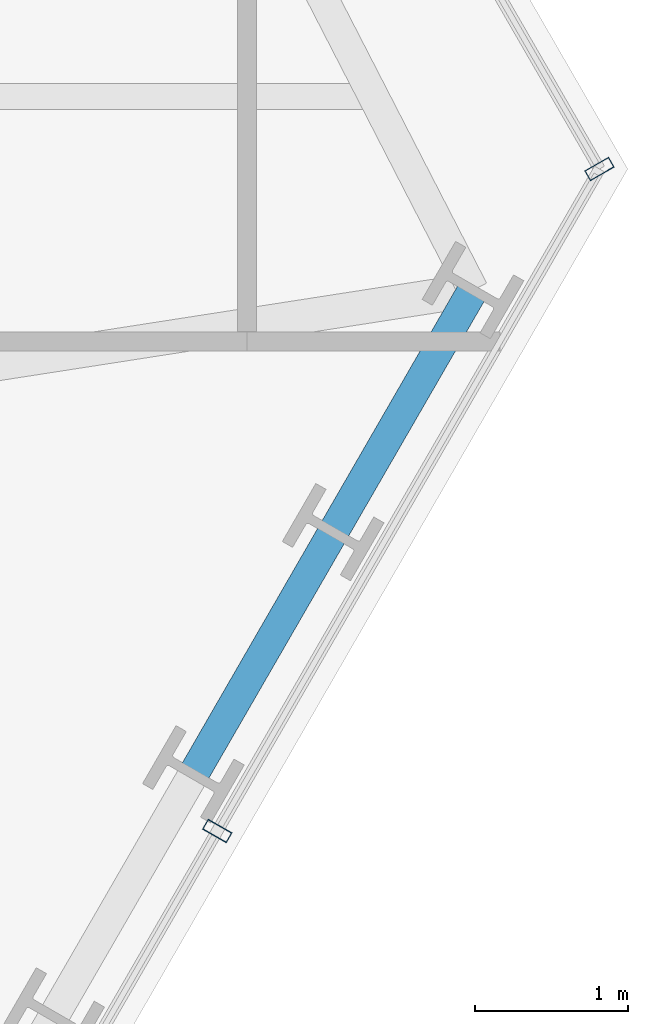
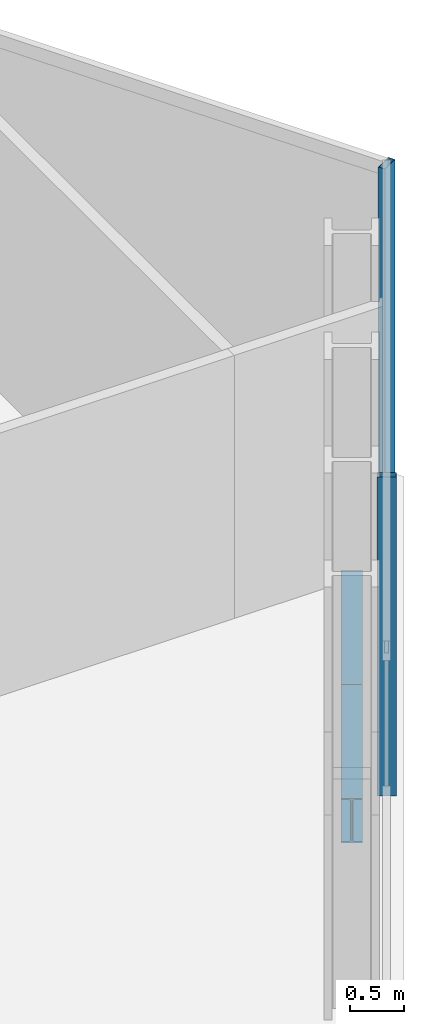
# One storey, part 18 of 32: 2 beams, 2 members, 2 elements without a shape of their own.
"""IFC4 building model written with IfcOpenShell, lengths in metres."""

import ifcopenshell
import ifcopenshell.guid

model = None  # the IFC model being written
_history = None  # IfcOwnerHistory: only IFC2X3 demands one
_inside = {}  # id of a spatial element -> (the spatial element, [elements in it])
_under = {}  # id of a project, library or spatial element -> (it, [spatial elements below it])
_declared = {}  # id of a project -> (the project, [libraries it declares])
_typed = {}  # id of a type object -> (the type object, [elements of that type])
_made_of = {}  # id of a material, layer set ... -> (it, [elements and type objects made of it])


def new_model(schema):
    """Start an empty IFC model of exactly this schema.

    Asked for "IFC4X3", IfcOpenShell would pick the latest addendum, in which some entities
    have other attributes; the version numbers below select the first issue.
    IFC2X3 requires an IfcOwnerHistory on every rooted entity: one is made here for all.
    """
    global model, _history
    if schema == "IFC4X3":
        model = ifcopenshell.file(schema_version=(4, 3, 0, 0))
    else:
        model = ifcopenshell.file(schema=schema)
    _inside.clear()
    _under.clear()
    _declared.clear()
    _typed.clear()
    _made_of.clear()
    _history = None
    if model.schema == "IFC2X3":
        org = make("IfcOrganization", Name="unknown")
        user = make(
            "IfcPersonAndOrganization",
            ThePerson=make("IfcPerson", FamilyName="unknown"),
            TheOrganization=org,
        )
        app = make(
            "IfcApplication",
            ApplicationDeveloper=org,
            Version="unknown",
            ApplicationFullName="unknown",
            ApplicationIdentifier="unknown",
        )
        _history = make(
            "IfcOwnerHistory",
            OwningUser=user,
            OwningApplication=app,
            ChangeAction="ADDED",
            CreationDate=0,
        )
    return model


def make(cls, **values):
    """One entity of the class cls with the attributes given. An attribute that is None is left unset."""
    return model.create_entity(
        cls, **{name: value for name, value in values.items() if value is not None}
    )


def rooted(cls, **values):
    """An entity with a GlobalId (a new one), such as an element, a storey or a relation."""
    return make(cls, GlobalId=ifcopenshell.guid.new(), OwnerHistory=_history, **values)


def si_unit(unit_type, name, prefix=None):
    """IfcSIUnit, for example si_unit("LENGTHUNIT", "METRE", prefix="MILLI")."""
    return make("IfcSIUnit", UnitType=unit_type, Prefix=prefix, Name=name)


def assignment(units):
    """IfcUnitAssignment: the units of a project."""
    return None if units is None else make("IfcUnitAssignment", Units=units)


def point(xyz):
    """IfcCartesianPoint."""
    return None if xyz is None else make("IfcCartesianPoint", Coordinates=xyz)


def direction(xyz):
    """IfcDirection."""
    return None if xyz is None else make("IfcDirection", DirectionRatios=xyz)


def frame(location, z_axis=None, x_axis=None):
    """IfcAxis2Placement3D, a coordinate frame: its origin and axes. An axis left out is left unset."""
    return make(
        "IfcAxis2Placement3D",
        Location=point(location),
        Axis=direction(z_axis),
        RefDirection=direction(x_axis),
    )


def frame_2d(location, x_axis=None):
    """IfcAxis2Placement2D, a coordinate frame in the plane: its origin and x axis."""
    return make(
        "IfcAxis2Placement2D", Location=point(location), RefDirection=direction(x_axis)
    )


def origin():
    """The frame at (0, 0, 0) with its axes left unset."""
    return frame((0.0, 0.0, 0.0))


def origin_2d():
    """The frame at (0, 0) in the plane with its x axis left unset."""
    return frame_2d((0.0, 0.0))


def place(relative_to, where):
    """IfcLocalPlacement: puts the frame where relative to a parent placement (None: the world)."""
    return make(
        "IfcLocalPlacement", PlacementRelTo=relative_to, RelativePlacement=where
    )


def context(
    kind, dimensions, precision=None, world=None, true_north=None, identifier=None
):
    """IfcGeometricRepresentationContext, for example the 3D "Model" context."""
    return make(
        "IfcGeometricRepresentationContext",
        ContextIdentifier=identifier,
        ContextType=kind,
        CoordinateSpaceDimension=dimensions,
        Precision=precision,
        WorldCoordinateSystem=world,
        TrueNorth=true_north,
    )


def subcontext(parent, identifier, kind, view, scale=None):
    """IfcGeometricRepresentationSubContext, for example "Body" below "Model"."""
    return make(
        "IfcGeometricRepresentationSubContext",
        ContextIdentifier=identifier,
        ContextType=kind,
        ParentContext=parent,
        TargetScale=scale,
        TargetView=view,
    )


def project(units=None, contexts=None):
    """IfcProject with its units and contexts."""
    return rooted(
        "IfcProject",
        Name="project",
        RepresentationContexts=contexts,
        UnitsInContext=assignment(units),
    )


def spatial(cls, under=None, at=None, **own):
    """A site, building, storey or space (cls), placed at a placement, below another one or the project."""
    s = rooted(cls, ObjectPlacement=at, **own)
    if under is not None:
        _under.setdefault(under.id(), (under, []))[1].append(s)
    return s


def profile(cls, at=None, kind="AREA", **sizes):
    """A parametric profile (cls). Its sizes go by their IFC names, for example OverallWidth=200.0."""
    return make(cls, ProfileType=kind, Position=at, **sizes)


def hollow_rectangle(**sizes):
    """IfcRectangleHollowProfileDef."""
    return profile("IfcRectangleHollowProfileDef", **sizes)


def i_section(**sizes):
    """IfcIShapeProfileDef."""
    return profile("IfcIShapeProfileDef", **sizes)


def extrude(swept, where, along, depth):
    """IfcExtrudedAreaSolid: the profile swept, set in the frame where, extruded along a direction by depth."""
    return make(
        "IfcExtrudedAreaSolid",
        SweptArea=swept,
        Position=where,
        ExtrudedDirection=direction(along),
        Depth=depth,
    )


def shape(context_of_items, identifier, shape_type, items):
    """IfcShapeRepresentation: the items that make up one representation, for example the "Body"."""
    return make(
        "IfcShapeRepresentation",
        ContextOfItems=context_of_items,
        RepresentationIdentifier=identifier,
        RepresentationType=shape_type,
        Items=items,
    )


def material(Name=None, Category=None):
    """IfcMaterial."""
    return make("IfcMaterial", Name=Name, Category=Category)


def layer(
    of_material, thickness, ventilated=None, Name=None, Category=None, Priority=None
):
    """IfcMaterialLayer: one layer of a wall or slab, of a material (None: an air gap)."""
    return make(
        "IfcMaterialLayer",
        Material=of_material,
        LayerThickness=thickness,
        IsVentilated=ventilated,
        Name=Name,
        Category=Category,
        Priority=Priority,
    )


def layer_set(layers, Name=None):
    """IfcMaterialLayerSet."""
    return make("IfcMaterialLayerSet", MaterialLayers=layers, LayerSetName=Name)


def material_profile(
    of_material, cross_section, Name=None, Category=None, Priority=None
):
    """IfcMaterialProfile: a cross section and its material."""
    return make(
        "IfcMaterialProfile",
        Name=Name,
        Material=of_material,
        Profile=cross_section,
        Priority=Priority,
        Category=Category,
    )


def profile_set(profiles, Name=None, composite=None):
    """IfcMaterialProfileSet."""
    return make(
        "IfcMaterialProfileSet",
        Name=Name,
        MaterialProfiles=profiles,
        CompositeProfile=composite,
    )


def made_of(thing, what):
    """Note that an element or type object is made of a material, layer set ...; save() writes the relation."""
    if what is not None:
        _made_of.setdefault(what.id(), (what, []))[1].append(thing)
    return thing


def type_object(cls, material=None, **own):
    """A type object (cls), such as IfcWallType, which elements share."""
    return made_of(rooted(cls, **own), material)


def element(
    cls,
    number,
    at=None,
    inside=None,
    cuts=None,
    type_object=None,
    material=None,
    context=None,
    identifier="Body",
    shape_type=None,
    held_by="IfcProductDefinitionShape",
    body=None,
    shapes=None,
    **own,
):
    """One element of the class cls, such as IfcWall. Its Tag is "e" and its number.

    at: its placement. inside: the storey or other place that contains it. cuts: it is an
    opening in that element (IfcRelVoidsElement). A single representation is given by context,
    identifier, shape_type and body (its items); several are given by shapes. held_by: the class
    of the entity that holds the representations. save() writes the other relations.
    """
    e = rooted(cls, Tag="e%d" % number, ObjectPlacement=at, **own)
    if body is not None:
        shapes = [shape(context, identifier, shape_type, body)]
    if shapes is not None:
        e.Representation = make(held_by, Representations=shapes)
    if inside is not None:
        _inside.setdefault(inside.id(), (inside, []))[1].append(e)
    if cuts is not None:
        rooted(
            "IfcRelVoidsElement", RelatingBuildingElement=cuts, RelatedOpeningElement=e
        )
    if type_object is not None:
        _typed.setdefault(type_object.id(), (type_object, []))[1].append(e)
    return made_of(e, material)


def aggregate(whole, parts):
    """IfcRelAggregates: a whole, such as a stair, and the parts it consists of."""
    return rooted("IfcRelAggregates", RelatingObject=whole, RelatedObjects=parts)


def save(model, path):
    """Write the relations noted so far, then the file.

    IfcRelAggregates (storeys below a building ...), IfcRelContainedInSpatialStructure (elements
    in a storey), IfcRelDefinesByType, IfcRelAssociatesMaterial and IfcRelDeclares: one each for
    every whole, place, type object, material and project.
    """
    for whole, parts in _under.values():
        aggregate(whole, parts)
    for where, things in _inside.values():
        rooted(
            "IfcRelContainedInSpatialStructure",
            RelatedElements=things,
            RelatingStructure=where,
        )
    for kind, things in _typed.values():
        rooted("IfcRelDefinesByType", RelatedObjects=things, RelatingType=kind)
    for what, things in _made_of.values():
        rooted("IfcRelAssociatesMaterial", RelatedObjects=things, RelatingMaterial=what)
    for by, libraries in _declared.values():
        rooted("IfcRelDeclares", RelatingContext=by, RelatedDefinitions=libraries)
    model.write(path)


model = new_model("IFC4")

# Units and contexts
model_context = context("Model", 3, precision=1e-05, world=origin(), true_north=direction((0.0, 1.0)))
body_context = subcontext(model_context, "Body", "Model", "MODEL_VIEW")
ifc_project = project(units=[si_unit("LENGTHUNIT", "METRE"), si_unit("AREAUNIT", "SQUARE_METRE"), si_unit("VOLUMEUNIT", "CUBIC_METRE"), si_unit("PLANEANGLEUNIT", "RADIAN"), si_unit("MASSUNIT", "GRAM", prefix="KILO")], contexts=[model_context])

# Site, building, storey
site_placement = place(None, origin())
site = spatial("IfcSite", under=ifc_project, at=site_placement, CompositionType="ELEMENT")
building_placement = place(site_placement, origin())
building = spatial("IfcBuilding", under=site, at=building_placement, Name="Ndaravel Arena Tower", CompositionType="ELEMENT")
storey_placement = place(building_placement, frame((0.0, 0.0, 74.0)))
storey = spatial("IfcBuildingStorey", under=building, at=storey_placement, Name="L16", CompositionType="ELEMENT", Elevation=74.0)

# Beams
ifc_material_1 = material(Name="Steel S355", Category="steel")
ifc_material_profile_1 = material_profile(ifc_material_1, i_section(OverallWidth=0.199951171875, OverallDepth=0.5, WebThickness=0.01025390625, FlangeThickness=0.01611328125, FilletRadius=0.02099609375, at=origin_2d()), Name="IPE 500")
ifc_profile_set_1 = profile_set([ifc_material_profile_1], Name="Steel S355")
beam_type = type_object("IfcBeamType", Name="BM-SPAN-IPE500", PredefinedType="SPANDREL", material=ifc_profile_set_1)
for number, where, z_axis, x_axis, name in (
    (1, (62.85009765625, 14.1748046875, -0.469970703125), (0.499907684424, 0.866078695647, 0.0), (-0.866078695647, 0.499907684424, 0.0), "L16 Perimeter Spandrel Beam SP-07"),
    (2, (63.7626953125, 15.755859375, -0.469970703125), (0.500065901226, 0.86598735235, 0.0), (-0.86598735235, 0.500065901226, 0.0), "L16 Perimeter Spandrel Beam SP-08"),
):
    element("IfcBeam", number, at=place(storey_placement, frame(where, z_axis=z_axis, x_axis=x_axis)), inside=storey, type_object=beam_type, Name=name, PredefinedType="SPANDREL", context=body_context, shape_type="SweptSolid", body=[
        extrude(i_section(OverallWidth=0.199951171875, OverallDepth=0.5, WebThickness=0.01025390625, FlangeThickness=0.01611328125, FilletRadius=0.02099609375, at=origin_2d()), origin(), (0.0, 0.0, 1.0), 1.825439453125),
    ])

# Curtain wall, member
ifc_material_2 = material(Name="Aluminium", Category="aluminium")
ifc_layer_1 = layer(ifc_material_2, 0.179931640625)
ifc_layer_set_1 = layer_set([ifc_layer_1], Name="Aluminium")
curtain_wall_type_1 = type_object("IfcCurtainWallType", Name="CW-SYS-01", PredefinedType="NOTDEFINED", material=ifc_layer_set_1)
curtain_wall_1_placement = place(storey_placement, origin())
curtain_wall_1 = element("IfcCurtainWall", 3, at=curtain_wall_1_placement, inside=storey, type_object=curtain_wall_type_1, Name="L16 Faceted Crystal Curtain Wall CW-L16-E02", PredefinedType="NOTDEFINED")
ifc_material_3 = material(Name="Aluminium", Category="aluminium")
ifc_material_profile_2 = material_profile(ifc_material_3, hollow_rectangle(XDim=0.074951171875, YDim=0.179931640625, WallThickness=0.00390625, at=origin_2d()), Name="CW MULLION 75x180x4")
ifc_profile_set_2 = profile_set([ifc_material_profile_2], Name="Aluminium")
member_type = type_object("IfcMemberType", Name="MEM-CW-MUL180", PredefinedType="MULLION", material=ifc_profile_set_2)
member_1_placement = place(storey_placement, frame((63.005859375, 13.8046875, 0.0), z_axis=(0.0, 0.0, 1.0), x_axis=(0.5, 0.866025403784, 0.0)))
member_1 = element("IfcMember", 4, at=member_1_placement, type_object=member_type, Name="CW-L16-E02 Mullion 02", PredefinedType="MULLION", context=body_context, shape_type="SweptSolid", body=[
    extrude(hollow_rectangle(XDim=0.074951171875, YDim=0.179931640625, WallThickness=0.00390625, at=origin_2d()), origin(), (0.0, 0.0, 1.0), 3.580078125),
])
aggregate(curtain_wall_1, [member_1])

ifc_material_4 = material(Name="Aluminium", Category="aluminium")
ifc_layer_2 = layer(ifc_material_4, 0.179931640625)
ifc_layer_set_2 = layer_set([ifc_layer_2], Name="Aluminium")
curtain_wall_type_2 = type_object("IfcCurtainWallType", Name="CW-SYS-03", PredefinedType="NOTDEFINED", material=ifc_layer_set_2)
curtain_wall_2_placement = place(storey_placement, origin())
curtain_wall_2 = element("IfcCurtainWall", 5, at=curtain_wall_2_placement, inside=storey, type_object=curtain_wall_type_2, Name="L16 Faceted Crystal Curtain Wall CW-L16-E03", PredefinedType="NOTDEFINED")
member_2_placement = place(storey_placement, frame((65.50146484375, 18.127197265625, 0.0), z_axis=(0.0, 0.0, 1.0), x_axis=(-0.5, 0.866025403784, 0.0)))
member_2 = element("IfcMember", 6, at=member_2_placement, type_object=member_type, Name="CW-L16-E03 Mullion 00", PredefinedType="MULLION", context=body_context, shape_type="SweptSolid", body=[
    extrude(hollow_rectangle(XDim=0.074951171875, YDim=0.179931640625, WallThickness=0.00390625, at=origin_2d()), origin(), (0.0, 0.0, 1.0), 3.580078125),
])
aggregate(curtain_wall_2, [member_2])

save(model, "model.ifc")
